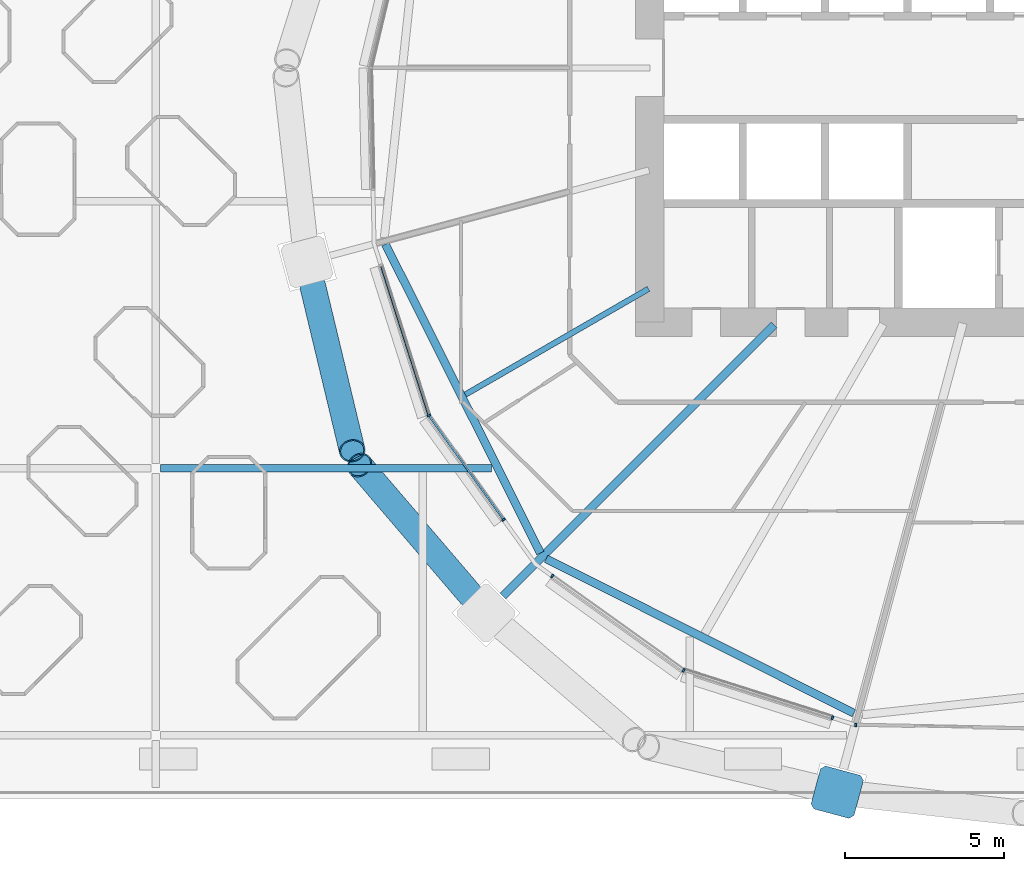
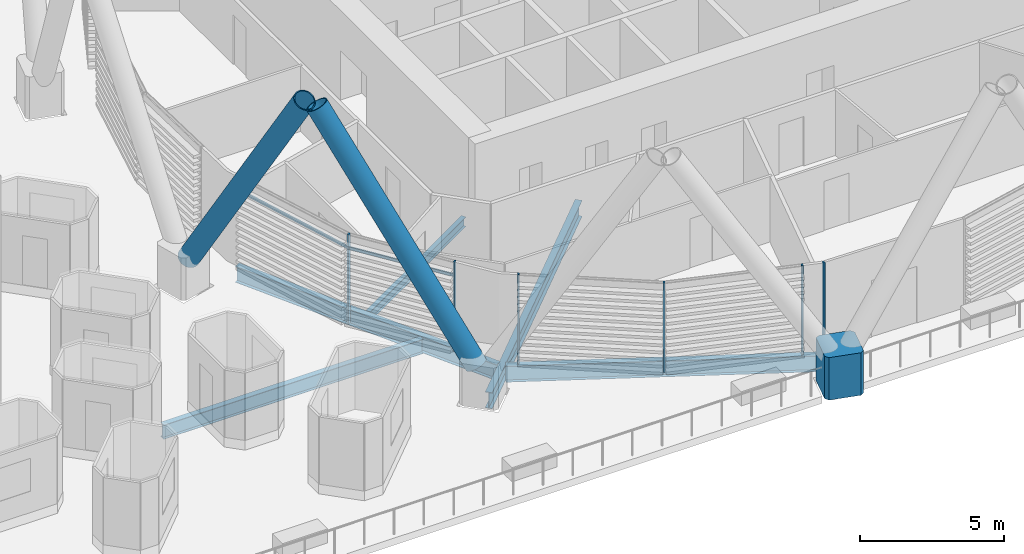
# One storey, part 13 of 47: 11 members, 5 beams, 1 element without a shape of its own.
"""IFC4 building model written with IfcOpenShell, lengths in metres."""

import ifcopenshell
import ifcopenshell.guid

model = None  # the IFC model being written
_history = None  # IfcOwnerHistory: only IFC2X3 demands one
_inside = {}  # id of a spatial element -> (the spatial element, [elements in it])
_under = {}  # id of a project, library or spatial element -> (it, [spatial elements below it])
_declared = {}  # id of a project -> (the project, [libraries it declares])
_typed = {}  # id of a type object -> (the type object, [elements of that type])
_made_of = {}  # id of a material, layer set ... -> (it, [elements and type objects made of it])


def new_model(schema):
    """Start an empty IFC model of exactly this schema.

    Asked for "IFC4X3", IfcOpenShell would pick the latest addendum, in which some entities
    have other attributes; the version numbers below select the first issue.
    IFC2X3 requires an IfcOwnerHistory on every rooted entity: one is made here for all.
    """
    global model, _history
    if schema == "IFC4X3":
        model = ifcopenshell.file(schema_version=(4, 3, 0, 0))
    else:
        model = ifcopenshell.file(schema=schema)
    _inside.clear()
    _under.clear()
    _declared.clear()
    _typed.clear()
    _made_of.clear()
    _history = None
    if model.schema == "IFC2X3":
        org = make("IfcOrganization", Name="unknown")
        user = make(
            "IfcPersonAndOrganization",
            ThePerson=make("IfcPerson", FamilyName="unknown"),
            TheOrganization=org,
        )
        app = make(
            "IfcApplication",
            ApplicationDeveloper=org,
            Version="unknown",
            ApplicationFullName="unknown",
            ApplicationIdentifier="unknown",
        )
        _history = make(
            "IfcOwnerHistory",
            OwningUser=user,
            OwningApplication=app,
            ChangeAction="ADDED",
            CreationDate=0,
        )
    return model


def make(cls, **values):
    """One entity of the class cls with the attributes given. An attribute that is None is left unset."""
    return model.create_entity(
        cls, **{name: value for name, value in values.items() if value is not None}
    )


def rooted(cls, **values):
    """An entity with a GlobalId (a new one), such as an element, a storey or a relation."""
    return make(cls, GlobalId=ifcopenshell.guid.new(), OwnerHistory=_history, **values)


def si_unit(unit_type, name, prefix=None):
    """IfcSIUnit, for example si_unit("LENGTHUNIT", "METRE", prefix="MILLI")."""
    return make("IfcSIUnit", UnitType=unit_type, Prefix=prefix, Name=name)


def assignment(units):
    """IfcUnitAssignment: the units of a project."""
    return None if units is None else make("IfcUnitAssignment", Units=units)


def point(xyz):
    """IfcCartesianPoint."""
    return None if xyz is None else make("IfcCartesianPoint", Coordinates=xyz)


def direction(xyz):
    """IfcDirection."""
    return None if xyz is None else make("IfcDirection", DirectionRatios=xyz)


def frame(location, z_axis=None, x_axis=None):
    """IfcAxis2Placement3D, a coordinate frame: its origin and axes. An axis left out is left unset."""
    return make(
        "IfcAxis2Placement3D",
        Location=point(location),
        Axis=direction(z_axis),
        RefDirection=direction(x_axis),
    )


def frame_2d(location, x_axis=None):
    """IfcAxis2Placement2D, a coordinate frame in the plane: its origin and x axis."""
    return make(
        "IfcAxis2Placement2D", Location=point(location), RefDirection=direction(x_axis)
    )


def origin():
    """The frame at (0, 0, 0) with its axes left unset."""
    return frame((0.0, 0.0, 0.0))


def origin_2d():
    """The frame at (0, 0) in the plane with its x axis left unset."""
    return frame_2d((0.0, 0.0))


def place(relative_to, where):
    """IfcLocalPlacement: puts the frame where relative to a parent placement (None: the world)."""
    return make(
        "IfcLocalPlacement", PlacementRelTo=relative_to, RelativePlacement=where
    )


def context(
    kind, dimensions, precision=None, world=None, true_north=None, identifier=None
):
    """IfcGeometricRepresentationContext, for example the 3D "Model" context."""
    return make(
        "IfcGeometricRepresentationContext",
        ContextIdentifier=identifier,
        ContextType=kind,
        CoordinateSpaceDimension=dimensions,
        Precision=precision,
        WorldCoordinateSystem=world,
        TrueNorth=true_north,
    )


def subcontext(parent, identifier, kind, view, scale=None):
    """IfcGeometricRepresentationSubContext, for example "Body" below "Model"."""
    return make(
        "IfcGeometricRepresentationSubContext",
        ContextIdentifier=identifier,
        ContextType=kind,
        ParentContext=parent,
        TargetScale=scale,
        TargetView=view,
    )


def project(units=None, contexts=None):
    """IfcProject with its units and contexts."""
    return rooted(
        "IfcProject",
        Name="project",
        RepresentationContexts=contexts,
        UnitsInContext=assignment(units),
    )


def spatial(cls, under=None, at=None, **own):
    """A site, building, storey or space (cls), placed at a placement, below another one or the project."""
    s = rooted(cls, ObjectPlacement=at, **own)
    if under is not None:
        _under.setdefault(under.id(), (under, []))[1].append(s)
    return s


def polyline(points):
    """IfcPolyline through the points."""
    return make("IfcPolyline", Points=[point(p) for p in points])


def profile(cls, at=None, kind="AREA", **sizes):
    """A parametric profile (cls). Its sizes go by their IFC names, for example OverallWidth=200.0."""
    return make(cls, ProfileType=kind, Position=at, **sizes)


def rectangle(**sizes):
    """IfcRectangleProfileDef."""
    return profile("IfcRectangleProfileDef", **sizes)


def hollow_circle(**sizes):
    """IfcCircleHollowProfileDef."""
    return profile("IfcCircleHollowProfileDef", **sizes)


def i_section(**sizes):
    """IfcIShapeProfileDef."""
    return profile("IfcIShapeProfileDef", **sizes)


def outline(outer, holes=None, kind="AREA"):
    """IfcArbitraryClosedProfileDef: a profile drawn as a closed curve; with holes, ...WithVoids."""
    if holes is None:
        return make("IfcArbitraryClosedProfileDef", ProfileType=kind, OuterCurve=outer)
    return make(
        "IfcArbitraryProfileDefWithVoids",
        ProfileType=kind,
        OuterCurve=outer,
        InnerCurves=holes,
    )


def extrude(swept, where, along, depth):
    """IfcExtrudedAreaSolid: the profile swept, set in the frame where, extruded along a direction by depth."""
    return make(
        "IfcExtrudedAreaSolid",
        SweptArea=swept,
        Position=where,
        ExtrudedDirection=direction(along),
        Depth=depth,
    )


def shape(context_of_items, identifier, shape_type, items):
    """IfcShapeRepresentation: the items that make up one representation, for example the "Body"."""
    return make(
        "IfcShapeRepresentation",
        ContextOfItems=context_of_items,
        RepresentationIdentifier=identifier,
        RepresentationType=shape_type,
        Items=items,
    )


def material(Name=None, Category=None):
    """IfcMaterial."""
    return make("IfcMaterial", Name=Name, Category=Category)


def material_profile(
    of_material, cross_section, Name=None, Category=None, Priority=None
):
    """IfcMaterialProfile: a cross section and its material."""
    return make(
        "IfcMaterialProfile",
        Name=Name,
        Material=of_material,
        Profile=cross_section,
        Priority=Priority,
        Category=Category,
    )


def profile_set(profiles, Name=None, composite=None):
    """IfcMaterialProfileSet."""
    return make(
        "IfcMaterialProfileSet",
        Name=Name,
        MaterialProfiles=profiles,
        CompositeProfile=composite,
    )


def made_of(thing, what):
    """Note that an element or type object is made of a material, layer set ...; save() writes the relation."""
    if what is not None:
        _made_of.setdefault(what.id(), (what, []))[1].append(thing)
    return thing


def type_object(cls, material=None, **own):
    """A type object (cls), such as IfcWallType, which elements share."""
    return made_of(rooted(cls, **own), material)


def element(
    cls,
    number,
    at=None,
    inside=None,
    cuts=None,
    type_object=None,
    material=None,
    context=None,
    identifier="Body",
    shape_type=None,
    held_by="IfcProductDefinitionShape",
    body=None,
    shapes=None,
    **own,
):
    """One element of the class cls, such as IfcWall. Its Tag is "e" and its number.

    at: its placement. inside: the storey or other place that contains it. cuts: it is an
    opening in that element (IfcRelVoidsElement). A single representation is given by context,
    identifier, shape_type and body (its items); several are given by shapes. held_by: the class
    of the entity that holds the representations. save() writes the other relations.
    """
    e = rooted(cls, Tag="e%d" % number, ObjectPlacement=at, **own)
    if body is not None:
        shapes = [shape(context, identifier, shape_type, body)]
    if shapes is not None:
        e.Representation = make(held_by, Representations=shapes)
    if inside is not None:
        _inside.setdefault(inside.id(), (inside, []))[1].append(e)
    if cuts is not None:
        rooted(
            "IfcRelVoidsElement", RelatingBuildingElement=cuts, RelatedOpeningElement=e
        )
    if type_object is not None:
        _typed.setdefault(type_object.id(), (type_object, []))[1].append(e)
    return made_of(e, material)


def aggregate(whole, parts):
    """IfcRelAggregates: a whole, such as a stair, and the parts it consists of."""
    return rooted("IfcRelAggregates", RelatingObject=whole, RelatedObjects=parts)


def save(model, path):
    """Write the relations noted so far, then the file.

    IfcRelAggregates (storeys below a building ...), IfcRelContainedInSpatialStructure (elements
    in a storey), IfcRelDefinesByType, IfcRelAssociatesMaterial and IfcRelDeclares: one each for
    every whole, place, type object, material and project.
    """
    for whole, parts in _under.values():
        aggregate(whole, parts)
    for where, things in _inside.values():
        rooted(
            "IfcRelContainedInSpatialStructure",
            RelatedElements=things,
            RelatingStructure=where,
        )
    for kind, things in _typed.values():
        rooted("IfcRelDefinesByType", RelatedObjects=things, RelatingType=kind)
    for what, things in _made_of.values():
        rooted("IfcRelAssociatesMaterial", RelatedObjects=things, RelatingMaterial=what)
    for by, libraries in _declared.values():
        rooted("IfcRelDeclares", RelatingContext=by, RelatedDefinitions=libraries)
    model.write(path)


model = new_model("IFC4")

# Units and contexts
model_context = context("Model", 3, precision=1e-05, world=origin(), true_north=direction((0.0, 1.0)))
body_context = subcontext(model_context, "Body", "Model", "MODEL_VIEW")
ifc_project = project(units=[si_unit("LENGTHUNIT", "METRE"), si_unit("AREAUNIT", "SQUARE_METRE"), si_unit("VOLUMEUNIT", "CUBIC_METRE"), si_unit("PLANEANGLEUNIT", "RADIAN"), si_unit("MASSUNIT", "GRAM", prefix="KILO")], contexts=[model_context])

# Site, building, storey
site_placement = place(None, origin())
site = spatial("IfcSite", under=ifc_project, at=site_placement, CompositionType="ELEMENT")
building_placement = place(site_placement, origin())
building = spatial("IfcBuilding", under=site, at=building_placement, Name="Rimbun Link Towers", CompositionType="ELEMENT")
storey_placement = place(building_placement, frame((0.0, 0.0, 30.0)))
storey = spatial("IfcBuildingStorey", under=building, at=storey_placement, Name="L06", CompositionType="ELEMENT", Elevation=30.0)

# Curtain wall, members
ifc_material_1 = material(Name="Aluminium 6063-T6 and low-iron glass", Category="aluminium")
curtain_wall_type = type_object("IfcCurtainWallType", Name="CW1 unitised vision wall", PredefinedType="NOTDEFINED", material=ifc_material_1)
curtain_wall_placement = place(storey_placement, origin())
curtain_wall = element("IfcCurtainWall", 1, at=curtain_wall_placement, inside=storey, type_object=curtain_wall_type, Name="CW1 L06 T2", PredefinedType="NOTDEFINED")
ifc_material_2 = material(Name="Aluminium 6063-T6", Category="aluminium")
ifc_material_profile_1 = material_profile(ifc_material_2, rectangle(XDim=0.1201171875, YDim=0.06005859375, at=origin_2d()), Name="MULLION 60X120")
ifc_profile_set_1 = profile_set([ifc_material_profile_1], Name="Aluminium 6063-T6")
member_type_1 = type_object("IfcMemberType", Name="CW1 mullion 60X120", PredefinedType="MULLION", material=ifc_profile_set_1)
member_1_placement = place(storey_placement, frame((12.793212890625, -10.940673828125, 0.0), z_axis=(0.0, 0.0, 1.0), x_axis=(-0.893747475963, -0.448570450665, 0.0)))
member_1 = element("IfcMember", 2, at=member_1_placement, type_object=member_type_1, Name="CW1 mullion", PredefinedType="MULLION", context=body_context, shape_type="SweptSolid", body=[
    extrude(rectangle(XDim=0.1201171875, YDim=0.06005859375, at=origin_2d()), origin(), (0.0, 0.0, 1.0), 3.800048828125),
])
member_2_placement = place(storey_placement, frame((15.144775390625, -14.218994140625, 0.0), z_axis=(0.0, 0.0, 1.0), x_axis=(-0.812473502255, -0.58299812018, 0.0)))
member_2 = element("IfcMember", 3, at=member_2_placement, type_object=member_type_1, Name="CW1 mullion", PredefinedType="MULLION", context=body_context, shape_type="SweptSolid", body=[
    extrude(rectangle(XDim=0.1201171875, YDim=0.06005859375, at=origin_2d()), origin(), (0.0, 0.0, 1.0), 3.800048828125),
])
member_3_placement = place(storey_placement, frame((20.809326171875, -18.956787109375, 0.0), z_axis=(0.0, 0.0, 1.0), x_axis=(-0.448570450665, -0.893747475963, 0.0)))
member_3 = element("IfcMember", 4, at=member_3_placement, type_object=member_type_1, Name="CW1 mullion", PredefinedType="MULLION", context=body_context, shape_type="SweptSolid", body=[
    extrude(rectangle(XDim=0.1201171875, YDim=0.06005859375, at=origin_2d()), origin(), (0.0, 0.0, 1.0), 3.800048828125),
])
member_4_placement = place(storey_placement, frame((16.677734375, -15.992919921875, 0.0), z_axis=(0.0, 0.0, 1.0), x_axis=(-0.58299812018, -0.812473502255, 0.0)))
member_4 = element("IfcMember", 5, at=member_4_placement, type_object=member_type_1, Name="CW1 mullion", PredefinedType="MULLION", context=body_context, shape_type="SweptSolid", body=[
    extrude(rectangle(XDim=0.1201171875, YDim=0.06005859375, at=origin_2d()), origin(), (0.0, 0.0, 1.0), 3.800048828125),
])
member_5_placement = place(storey_placement, frame((25.49267578125, -20.447021484375, 0.0), z_axis=(0.0, 0.0, 1.0), x_axis=(-0.303073741351, -0.952967107147, 0.0)))
member_5 = element("IfcMember", 6, at=member_5_placement, type_object=member_type_1, Name="CW1 mullion", PredefinedType="MULLION", context=body_context, shape_type="SweptSolid", body=[
    extrude(rectangle(XDim=0.1201171875, YDim=0.06005859375, at=origin_2d()), origin(), (0.0, 0.0, 1.0), 3.800048828125),
])
member_6_placement = place(storey_placement, frame((26.224365234375, -20.677001953125, 0.0), z_axis=(0.0, 0.0, 1.0), x_axis=(-0.021065867113, -0.999778089999, 0.0)))
member_6 = element("IfcMember", 7, at=member_6_placement, type_object=member_type_1, Name="CW1 mullion", PredefinedType="MULLION", context=body_context, shape_type="SweptSolid", body=[
    extrude(rectangle(XDim=0.1201171875, YDim=0.06005859375, at=origin_2d()), origin(), (0.0, 0.0, 1.0), 3.800048828125),
])
ifc_material_3 = material(Name="Aluminium 6063-T6", Category="aluminium")
ifc_material_profile_2 = material_profile(ifc_material_3, rectangle(XDim=0.06005859375, YDim=0.1201171875, at=origin_2d()), Name="TRANSOM 60X120")
ifc_profile_set_2 = profile_set([ifc_material_profile_2], Name="Aluminium 6063-T6")
member_type_2 = type_object("IfcMemberType", Name="CW1 transom 60X120", PredefinedType="USERDEFINED", material=ifc_profile_set_2)
member_7_placement = place(storey_placement, frame((12.782470703125, -10.902587890625, 3.199951171875), z_axis=(-0.303076025516, 0.952966380707, 0.0), x_axis=(-0.952966380707, -0.303076025516, 0.0)))
member_7 = element("IfcMember", 8, at=member_7_placement, type_object=member_type_2, Name="CW1 transom", ObjectType="TRANSOM", PredefinedType="USERDEFINED", context=body_context, shape_type="SweptSolid", body=[
    extrude(rectangle(XDim=0.06005859375, YDim=0.1201171875, at=origin_2d()), origin(), (0.0, 0.0, 1.0), 4.895263671875),
])
member_8_placement = place(storey_placement, frame((15.12890625, -14.193603515625, 3.199951171875), z_axis=(-0.582960896958, 0.812500210842, 0.0), x_axis=(-0.812500210842, -0.582960896958, 0.0)))
member_8 = element("IfcMember", 9, at=member_8_placement, type_object=member_type_2, Name="CW1 transom", ObjectType="TRANSOM", PredefinedType="USERDEFINED", context=body_context, shape_type="SweptSolid", body=[
    extrude(rectangle(XDim=0.06005859375, YDim=0.1201171875, at=origin_2d()), origin(), (0.0, 0.0, 1.0), 3.965087890625),
])
aggregate(curtain_wall, [member_1, member_2, member_3, member_4, member_5, member_6, member_7, member_8])

# Members
ifc_material_4 = material(Name="Steel S460NH", Category="steel")
ifc_material_profile_3 = material_profile(ifc_material_4, hollow_circle(Radius=0.406494140625, WallThickness=0.0400390625, at=origin_2d()), Name="Diagrid diagonal CHS 813x40")
ifc_profile_set_3 = profile_set([ifc_material_profile_3], Name="Steel S460NH")
member_type_3 = type_object("IfcMemberType", Name="Diagrid diagonal CHS 813x40", PredefinedType="BRACE", material=ifc_profile_set_3)
member_9_placement = place(storey_placement, frame((9.02001953125, -6.35888671875, 1.327392578125), z_axis=(0.120869159329, -0.504382565323, 0.854978873494), x_axis=(0.972467162017, 0.23303995108, 0.0)))
element("IfcMember", 10, at=member_9_placement, inside=storey, type_object=member_type_3, Name="Diagrid diagonal T2 L06-L09 10b", PredefinedType="BRACE", context=body_context, shape_type="SweptSolid", body=[
    extrude(hollow_circle(Radius=0.406494140625, WallThickness=0.0400390625, at=origin_2d()), origin(), (0.0, 0.0, 1.0), 11.281005859375),
])
member_10_placement = place(storey_placement, frame((14.4248046875, -16.958740234375, 1.3271484375), z_axis=(-0.33764325757, 0.395056018481, 0.854358105761), x_axis=(-0.760183991254, -0.649707856995, 0.0)))
element("IfcMember", 11, at=member_10_placement, inside=storey, type_object=member_type_3, Name="Diagrid diagonal T2 L06-L09 12a", PredefinedType="BRACE", context=body_context, shape_type="SweptSolid", body=[
    extrude(hollow_circle(Radius=0.406494140625, WallThickness=0.0400390625, at=origin_2d()), origin(), (0.0, 0.0, 1.0), 11.2900390625),
])
ifc_material_5 = material(Name="Cast steel G20Mn5+QT, Rp0.2 300 MPa", Category="steel")
ifc_material_profile_4 = material_profile(ifc_material_5, outline(polyline([(0.699951171875, -0.570068359375), (0.699951171875, 0.570068359375), (0.570068359375, 0.699951171875), (-0.570068359375, 0.699951171875), (-0.699951171875, 0.570068359375), (-0.699951171875, -0.570068359375), (-0.570068359375, -0.699951171875), (0.570068359375, -0.699951171875), (0.699951171875, -0.570068359375)])), Name="NODE 1400x1400")
ifc_profile_set_4 = profile_set([ifc_material_profile_4], Name="Cast steel G20Mn5+QT, Rp0.2 300 MPa")
member_type_4 = type_object("IfcMemberType", Name="Diagrid node cast 1400", PredefinedType="USERDEFINED", material=ifc_profile_set_4)
member_11_placement = place(storey_placement, frame((25.643310546875, -22.790283203125, 0.0), z_axis=(0.0, 0.0, 1.0), x_axis=(-0.258819045103, -0.965925826289, 0.0)))
element("IfcMember", 12, at=member_11_placement, inside=storey, type_object=member_type_4, Name="Diagrid node L06 14", ObjectType="Diagrid node", PredefinedType="USERDEFINED", context=body_context, shape_type="SweptSolid", body=[
    extrude(outline(polyline([(0.699951171875, -0.570068359375), (0.699951171875, 0.570068359375), (0.570068359375, 0.699951171875), (-0.570068359375, 0.699951171875), (-0.699951171875, 0.570068359375), (-0.699951171875, -0.570068359375), (-0.570068359375, -0.699951171875), (0.570068359375, -0.699951171875), (0.699951171875, -0.570068359375)])), origin(), (0.0, 0.0, 1.0), 1.800048828125),
])

# Beams
ifc_material_6 = material(Name="Steel S355J2", Category="steel")
ifc_material_profile_5 = material_profile(ifc_material_6, i_section(OverallWidth=0.177978515625, OverallDepth=0.406494140625, WebThickness=0.0078125, FlangeThickness=0.0126953125, at=origin_2d()), Name="UB 406x178x60")
ifc_profile_set_5 = profile_set([ifc_material_profile_5], Name="Steel S355J2")
beam_type_1 = type_object("IfcBeamType", Name="UB 406x178x60", PredefinedType="BEAM", material=ifc_profile_set_5)
beam_1_placement = place(storey_placement, frame((19.70458984375, -6.954345703125, -0.503173828125), z_axis=(-0.866016262799, -0.500015832317, 0.0), x_axis=(0.500015832317, -0.866016262799, 0.0)))
element("IfcBeam", 13, at=beam_1_placement, inside=storey, type_object=beam_type_1, Name="Radial beam T2 L06 11", PredefinedType="BEAM", context=body_context, shape_type="SweptSolid", body=[
    extrude(i_section(OverallWidth=0.177978515625, OverallDepth=0.406494140625, WebThickness=0.0078125, FlangeThickness=0.0126953125, at=origin_2d()), origin(), (0.0, 0.0, 1.0), 6.651123046875),
])
ifc_material_7 = material(Name="Steel S355J2", Category="steel")
ifc_material_profile_6 = material_profile(ifc_material_7, i_section(OverallWidth=0.2275390625, OverallDepth=0.6025390625, WebThickness=0.010498046875, FlangeThickness=0.014892578125, at=origin_2d()), Name="UB 610x229x101")
ifc_profile_set_6 = profile_set([ifc_material_profile_6], Name="Steel S355J2")
beam_type_2 = type_object("IfcBeamType", Name="UB 610x229x101", PredefinedType="BEAM", material=ifc_profile_set_6)
beam_2_placement = place(storey_placement, frame((4.353759765625, -12.60009765625, -0.601318359375), z_axis=(1.0, 0.0, 0.0), x_axis=(0.0, 1.0, 0.0)))
element("IfcBeam", 14, at=beam_2_placement, inside=storey, type_object=beam_type_2, Name="Grid beam L06 -12.6", PredefinedType="BEAM", context=body_context, shape_type="SweptSolid", body=[
    extrude(i_section(OverallWidth=0.2275390625, OverallDepth=0.6025390625, WebThickness=0.010498046875, FlangeThickness=0.014892578125, at=origin_2d()), origin(), (0.0, 0.0, 1.0), 10.411865234375),
])
ifc_material_8 = material(Name="Steel S355J2", Category="steel")
ifc_material_profile_7 = material_profile(ifc_material_8, i_section(OverallWidth=0.253662109375, OverallDepth=0.68359375, WebThickness=0.012451171875, FlangeThickness=0.01904296875, at=origin_2d()), Name="UB 686x254x140")
ifc_profile_set_7 = profile_set([ifc_material_profile_7], Name="Steel S355J2")
beam_type_3 = type_object("IfcBeamType", Name="UB 686x254x140", PredefinedType="BEAM", material=ifc_profile_set_7)
beam_3_placement = place(storey_placement, frame((23.65966796875, -8.09033203125, -0.641845703125), z_axis=(-0.707106781187, -0.707106781187, 0.0), x_axis=(0.707106781187, -0.707106781187, 0.0)))
element("IfcBeam", 15, at=beam_3_placement, inside=storey, type_object=beam_type_3, Name="Radial beam T2 L06 12", PredefinedType="BEAM", context=body_context, shape_type="SweptSolid", body=[
    extrude(i_section(OverallWidth=0.253662109375, OverallDepth=0.68359375, WebThickness=0.012451171875, FlangeThickness=0.01904296875, at=origin_2d()), origin(), (0.0, 0.0, 1.0), 12.0712890625),
])
beam_4_placement = place(storey_placement, frame((11.429931640625, -5.55419921875, -0.641845703125), z_axis=(0.448516294104, -0.893774655002, 0.0), x_axis=(0.893774655002, 0.448516294104, 0.0)))
element("IfcBeam", 16, at=beam_4_placement, inside=storey, type_object=beam_type_3, Name="Edge beam T2 L06 10-12", PredefinedType="BEAM", context=body_context, shape_type="SweptSolid", body=[
    extrude(i_section(OverallWidth=0.253662109375, OverallDepth=0.68359375, WebThickness=0.012451171875, FlangeThickness=0.01904296875, at=origin_2d()), origin(), (0.0, 0.0, 1.0), 10.865966796875),
])
beam_5_placement = place(storey_placement, frame((16.484130859375, -15.446533203125, -0.641845703125), z_axis=(0.893777409404, -0.448510805264, 0.0), x_axis=(0.448510805264, 0.893777409404, 0.0)))
element("IfcBeam", 17, at=beam_5_placement, inside=storey, type_object=beam_type_3, Name="Edge beam T2 L06 12-14", PredefinedType="BEAM", context=body_context, shape_type="SweptSolid", body=[
    extrude(i_section(OverallWidth=0.253662109375, OverallDepth=0.68359375, WebThickness=0.012451171875, FlangeThickness=0.01904296875, at=origin_2d()), origin(), (0.0, 0.0, 1.0), 10.836669921875),
])

save(model, "model.ifc")
